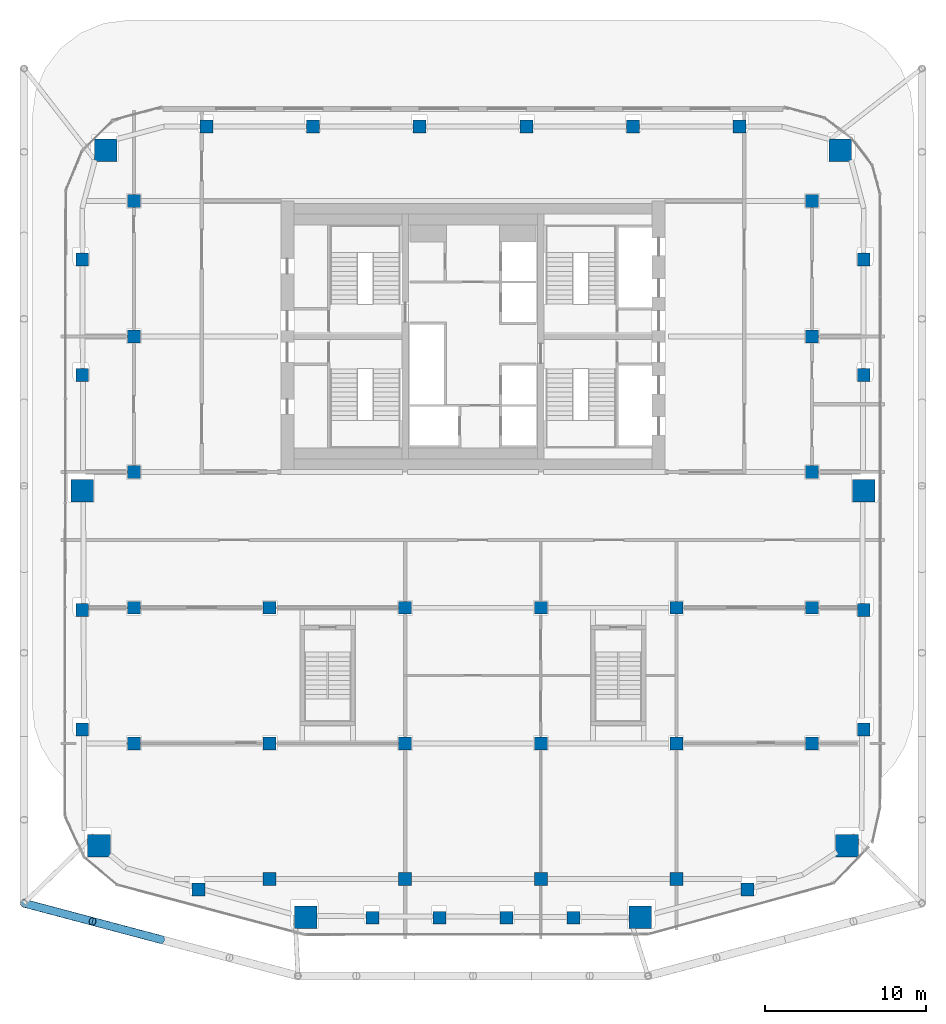
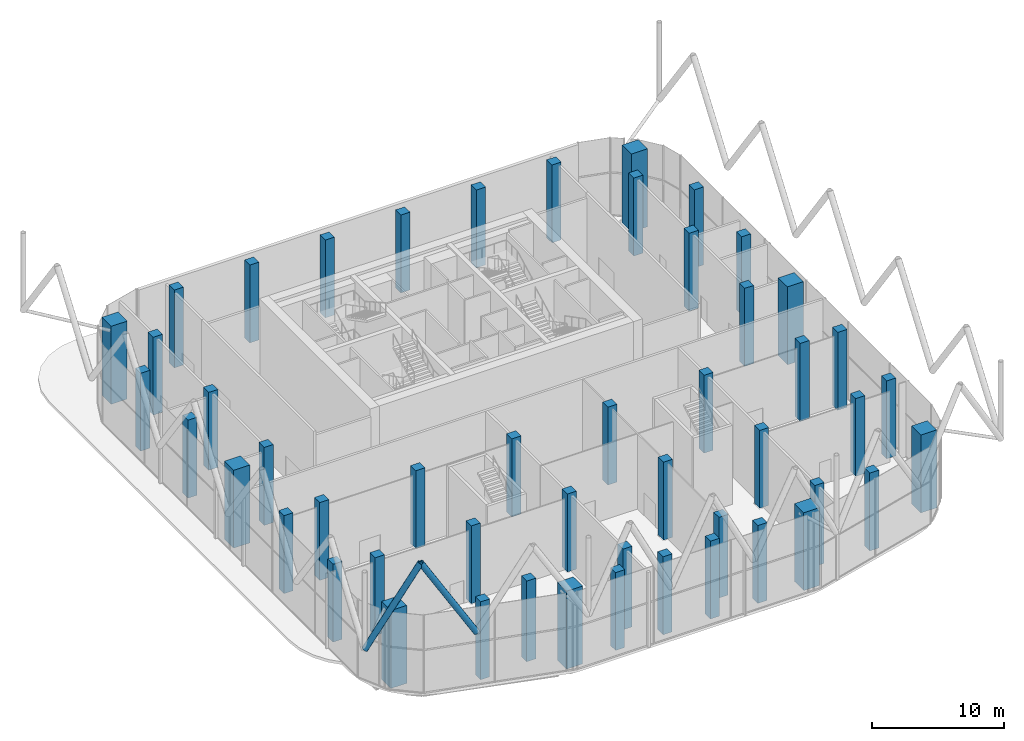
# One storey, part 1 of 25: 50 columns, 2 members.
"""IFC4 building model written with IfcOpenShell, lengths in metres."""

import ifcopenshell
import ifcopenshell.guid

model = None  # the IFC model being written
_history = None  # IfcOwnerHistory: only IFC2X3 demands one
_inside = {}  # id of a spatial element -> (the spatial element, [elements in it])
_under = {}  # id of a project, library or spatial element -> (it, [spatial elements below it])
_declared = {}  # id of a project -> (the project, [libraries it declares])
_typed = {}  # id of a type object -> (the type object, [elements of that type])
_made_of = {}  # id of a material, layer set ... -> (it, [elements and type objects made of it])


def new_model(schema):
    """Start an empty IFC model of exactly this schema.

    Asked for "IFC4X3", IfcOpenShell would pick the latest addendum, in which some entities
    have other attributes; the version numbers below select the first issue.
    IFC2X3 requires an IfcOwnerHistory on every rooted entity: one is made here for all.
    """
    global model, _history
    if schema == "IFC4X3":
        model = ifcopenshell.file(schema_version=(4, 3, 0, 0))
    else:
        model = ifcopenshell.file(schema=schema)
    _inside.clear()
    _under.clear()
    _declared.clear()
    _typed.clear()
    _made_of.clear()
    _history = None
    if model.schema == "IFC2X3":
        org = make("IfcOrganization", Name="unknown")
        user = make(
            "IfcPersonAndOrganization",
            ThePerson=make("IfcPerson", FamilyName="unknown"),
            TheOrganization=org,
        )
        app = make(
            "IfcApplication",
            ApplicationDeveloper=org,
            Version="unknown",
            ApplicationFullName="unknown",
            ApplicationIdentifier="unknown",
        )
        _history = make(
            "IfcOwnerHistory",
            OwningUser=user,
            OwningApplication=app,
            ChangeAction="ADDED",
            CreationDate=0,
        )
    return model


def make(cls, **values):
    """One entity of the class cls with the attributes given. An attribute that is None is left unset."""
    return model.create_entity(
        cls, **{name: value for name, value in values.items() if value is not None}
    )


def rooted(cls, **values):
    """An entity with a GlobalId (a new one), such as an element, a storey or a relation."""
    return make(cls, GlobalId=ifcopenshell.guid.new(), OwnerHistory=_history, **values)


def si_unit(unit_type, name, prefix=None):
    """IfcSIUnit, for example si_unit("LENGTHUNIT", "METRE", prefix="MILLI")."""
    return make("IfcSIUnit", UnitType=unit_type, Prefix=prefix, Name=name)


def assignment(units):
    """IfcUnitAssignment: the units of a project."""
    return None if units is None else make("IfcUnitAssignment", Units=units)


def point(xyz):
    """IfcCartesianPoint."""
    return None if xyz is None else make("IfcCartesianPoint", Coordinates=xyz)


def direction(xyz):
    """IfcDirection."""
    return None if xyz is None else make("IfcDirection", DirectionRatios=xyz)


def frame(location, z_axis=None, x_axis=None):
    """IfcAxis2Placement3D, a coordinate frame: its origin and axes. An axis left out is left unset."""
    return make(
        "IfcAxis2Placement3D",
        Location=point(location),
        Axis=direction(z_axis),
        RefDirection=direction(x_axis),
    )


def frame_2d(location, x_axis=None):
    """IfcAxis2Placement2D, a coordinate frame in the plane: its origin and x axis."""
    return make(
        "IfcAxis2Placement2D", Location=point(location), RefDirection=direction(x_axis)
    )


def origin():
    """The frame at (0, 0, 0) with its axes left unset."""
    return frame((0.0, 0.0, 0.0))


def origin_2d():
    """The frame at (0, 0) in the plane with its x axis left unset."""
    return frame_2d((0.0, 0.0))


def place(relative_to, where):
    """IfcLocalPlacement: puts the frame where relative to a parent placement (None: the world)."""
    return make(
        "IfcLocalPlacement", PlacementRelTo=relative_to, RelativePlacement=where
    )


def context(
    kind, dimensions, precision=None, world=None, true_north=None, identifier=None
):
    """IfcGeometricRepresentationContext, for example the 3D "Model" context."""
    return make(
        "IfcGeometricRepresentationContext",
        ContextIdentifier=identifier,
        ContextType=kind,
        CoordinateSpaceDimension=dimensions,
        Precision=precision,
        WorldCoordinateSystem=world,
        TrueNorth=true_north,
    )


def subcontext(parent, identifier, kind, view, scale=None):
    """IfcGeometricRepresentationSubContext, for example "Body" below "Model"."""
    return make(
        "IfcGeometricRepresentationSubContext",
        ContextIdentifier=identifier,
        ContextType=kind,
        ParentContext=parent,
        TargetScale=scale,
        TargetView=view,
    )


def project(units=None, contexts=None):
    """IfcProject with its units and contexts."""
    return rooted(
        "IfcProject",
        Name="project",
        RepresentationContexts=contexts,
        UnitsInContext=assignment(units),
    )


def spatial(cls, under=None, at=None, **own):
    """A site, building, storey or space (cls), placed at a placement, below another one or the project."""
    s = rooted(cls, ObjectPlacement=at, **own)
    if under is not None:
        _under.setdefault(under.id(), (under, []))[1].append(s)
    return s


def profile(cls, at=None, kind="AREA", **sizes):
    """A parametric profile (cls). Its sizes go by their IFC names, for example OverallWidth=200.0."""
    return make(cls, ProfileType=kind, Position=at, **sizes)


def rectangle(**sizes):
    """IfcRectangleProfileDef."""
    return profile("IfcRectangleProfileDef", **sizes)


def hollow_circle(**sizes):
    """IfcCircleHollowProfileDef."""
    return profile("IfcCircleHollowProfileDef", **sizes)


def extrude(swept, where, along, depth):
    """IfcExtrudedAreaSolid: the profile swept, set in the frame where, extruded along a direction by depth."""
    return make(
        "IfcExtrudedAreaSolid",
        SweptArea=swept,
        Position=where,
        ExtrudedDirection=direction(along),
        Depth=depth,
    )


def shape(context_of_items, identifier, shape_type, items):
    """IfcShapeRepresentation: the items that make up one representation, for example the "Body"."""
    return make(
        "IfcShapeRepresentation",
        ContextOfItems=context_of_items,
        RepresentationIdentifier=identifier,
        RepresentationType=shape_type,
        Items=items,
    )


def material(Name=None, Category=None):
    """IfcMaterial."""
    return make("IfcMaterial", Name=Name, Category=Category)


def material_profile(
    of_material, cross_section, Name=None, Category=None, Priority=None
):
    """IfcMaterialProfile: a cross section and its material."""
    return make(
        "IfcMaterialProfile",
        Name=Name,
        Material=of_material,
        Profile=cross_section,
        Priority=Priority,
        Category=Category,
    )


def profile_set(profiles, Name=None, composite=None):
    """IfcMaterialProfileSet."""
    return make(
        "IfcMaterialProfileSet",
        Name=Name,
        MaterialProfiles=profiles,
        CompositeProfile=composite,
    )


def made_of(thing, what):
    """Note that an element or type object is made of a material, layer set ...; save() writes the relation."""
    if what is not None:
        _made_of.setdefault(what.id(), (what, []))[1].append(thing)
    return thing


def type_object(cls, material=None, **own):
    """A type object (cls), such as IfcWallType, which elements share."""
    return made_of(rooted(cls, **own), material)


def element(
    cls,
    number,
    at=None,
    inside=None,
    cuts=None,
    type_object=None,
    material=None,
    context=None,
    identifier="Body",
    shape_type=None,
    held_by="IfcProductDefinitionShape",
    body=None,
    shapes=None,
    **own,
):
    """One element of the class cls, such as IfcWall. Its Tag is "e" and its number.

    at: its placement. inside: the storey or other place that contains it. cuts: it is an
    opening in that element (IfcRelVoidsElement). A single representation is given by context,
    identifier, shape_type and body (its items); several are given by shapes. held_by: the class
    of the entity that holds the representations. save() writes the other relations.
    """
    e = rooted(cls, Tag="e%d" % number, ObjectPlacement=at, **own)
    if body is not None:
        shapes = [shape(context, identifier, shape_type, body)]
    if shapes is not None:
        e.Representation = make(held_by, Representations=shapes)
    if inside is not None:
        _inside.setdefault(inside.id(), (inside, []))[1].append(e)
    if cuts is not None:
        rooted(
            "IfcRelVoidsElement", RelatingBuildingElement=cuts, RelatedOpeningElement=e
        )
    if type_object is not None:
        _typed.setdefault(type_object.id(), (type_object, []))[1].append(e)
    return made_of(e, material)


def aggregate(whole, parts):
    """IfcRelAggregates: a whole, such as a stair, and the parts it consists of."""
    return rooted("IfcRelAggregates", RelatingObject=whole, RelatedObjects=parts)


def save(model, path):
    """Write the relations noted so far, then the file.

    IfcRelAggregates (storeys below a building ...), IfcRelContainedInSpatialStructure (elements
    in a storey), IfcRelDefinesByType, IfcRelAssociatesMaterial and IfcRelDeclares: one each for
    every whole, place, type object, material and project.
    """
    for whole, parts in _under.values():
        aggregate(whole, parts)
    for where, things in _inside.values():
        rooted(
            "IfcRelContainedInSpatialStructure",
            RelatedElements=things,
            RelatingStructure=where,
        )
    for kind, things in _typed.values():
        rooted("IfcRelDefinesByType", RelatedObjects=things, RelatingType=kind)
    for what, things in _made_of.values():
        rooted("IfcRelAssociatesMaterial", RelatedObjects=things, RelatingMaterial=what)
    for by, libraries in _declared.values():
        rooted("IfcRelDeclares", RelatingContext=by, RelatedDefinitions=libraries)
    model.write(path)


model = new_model("IFC4")

# Units and contexts
model_context = context("Model", 3, precision=1e-05, world=origin(), true_north=direction((0.0, 1.0)))
body_context = subcontext(model_context, "Body", "Model", "MODEL_VIEW")
ifc_project = project(units=[si_unit("LENGTHUNIT", "METRE"), si_unit("AREAUNIT", "SQUARE_METRE"), si_unit("VOLUMEUNIT", "CUBIC_METRE"), si_unit("PLANEANGLEUNIT", "RADIAN"), si_unit("MASSUNIT", "GRAM", prefix="KILO")], contexts=[model_context])

# Site, building, storey
site_placement = place(None, origin())
site = spatial("IfcSite", under=ifc_project, at=site_placement, CompositionType="ELEMENT")
building_placement = place(site_placement, origin())
building = spatial("IfcBuilding", under=site, at=building_placement, Name="Marenta Gate Hotel Tower", CompositionType="ELEMENT")
storey_placement = place(building_placement, frame((0.0, 0.0, 180.5)))
storey = spatial("IfcBuildingStorey", under=building, at=storey_placement, Name="L41", CompositionType="ELEMENT", Elevation=180.5)

# Columns
ifc_material_1 = material(Name="Concrete C60", Category="concrete")
ifc_material_profile_1 = material_profile(ifc_material_1, rectangle(XDim=0.800048828125, YDim=0.800048828125, at=origin_2d()), Name="800 x 800")
ifc_profile_set_1 = profile_set([ifc_material_profile_1], Name="Concrete C60")
column_type_1 = type_object("IfcColumnType", Name="Edge column 800 x 800 C60", PredefinedType="COLUMN", material=ifc_profile_set_1)
for number, where, z_axis, x_axis, name in (
    (1, (-24.199951171875, -15.951904296875, 0.0), (0.0, 0.0, 1.0), (1.0, 0.0, 0.0), "L41-EC-SW-W-1"),
    (2, (-24.199951171875, -8.55078125, 0.0), (0.0, 0.0, 1.0), (1.0, 0.0, 0.0), "L41-EC-SW-W-2"),
    (3, (-24.199951171875, 6.003173828125, 0.0), (0.0, 0.0, 1.0), (1.0, 0.0, 0.0), "L41-EC-W-NW-1"),
    (4, (-24.199951171875, 13.156494140625, 0.0), (0.0, 0.0, 1.0), (1.0, 0.0, 0.0), "L41-EC-W-NW-2"),
    (5, (-16.5068359375, 21.39990234375, 0.0), (0.0, 0.0, 1.0), (1.0, 0.0, 0.0), "L41-EC-NW-NE-1"),
    (6, (-9.904052734375, 21.39990234375, 0.0), (0.0, 0.0, 1.0), (1.0, 0.0, 0.0), "L41-EC-NW-NE-2"),
    (7, (-3.301513671875, 21.39990234375, 0.0), (0.0, 0.0, 1.0), (1.0, 0.0, 0.0), "L41-EC-NW-NE-3"),
    (8, (3.301513671875, 21.39990234375, 0.0), (0.0, 0.0, 1.0), (1.0, 0.0, 0.0), "L41-EC-NW-NE-4"),
    (9, (9.904052734375, 21.39990234375, 0.0), (0.0, 0.0, 1.0), (1.0, 0.0, 0.0), "L41-EC-NW-NE-5"),
    (10, (16.5068359375, 21.39990234375, 0.0), (0.0, 0.0, 1.0), (1.0, 0.0, 0.0), "L41-EC-NW-NE-6"),
    (11, (24.199951171875, 13.156494140625, 0.0), (0.0, 0.0, 1.0), (1.0, 0.0, 0.0), "L41-EC-NE-E-1"),
    (12, (24.199951171875, 6.003173828125, 0.0), (0.0, 0.0, 1.0), (1.0, 0.0, 0.0), "L41-EC-NE-E-2"),
    (13, (24.199951171875, -8.55078125, 0.0), (0.0, 0.0, 1.0), (1.0, 0.0, 0.0), "L41-EC-E-SE-1"),
    (14, (24.199951171875, -15.951904296875, 0.0), (0.0, 0.0, 1.0), (1.0, 0.0, 0.0), "L41-EC-E-SE-2"),
    (15, (17.0068359375, -25.839111328125, 0.0), (0.0, 0.0, 1.0), (1.0, 0.0, 0.0), "L41-EC-SE-SKE-1"),
    (16, (6.22021484375, -27.60009765625, 0.0), (0.0, 0.0, 1.0), (1.0, 0.0, 0.0), "L41-EC-SKE-SKW-1"),
    (17, (2.073486328125, -27.60009765625, 0.0), (0.0, 0.0, 1.0), (1.0, 0.0, 0.0), "L41-EC-SKE-SKW-2"),
    (18, (-2.073486328125, -27.60009765625, 0.0), (0.0, 0.0, 1.0), (1.0, 0.0, 0.0), "L41-EC-SKE-SKW-3"),
    (19, (-6.22021484375, -27.60009765625, 0.0), (0.0, 0.0, 1.0), (1.0, 0.0, 0.0), "L41-EC-SKE-SKW-4"),
    (20, (-17.0068359375, -25.839111328125, 0.0), (0.0, 0.0, 1.0), (1.0, 0.0, 0.0), "L41-EC-SKW-SW-1"),
):
    element("IfcColumn", number, at=place(storey_placement, frame(where, z_axis=z_axis, x_axis=x_axis)), inside=storey, type_object=column_type_1, Name=name, PredefinedType="COLUMN", context=body_context, shape_type="SweptSolid", body=[
        extrude(rectangle(XDim=0.800048828125, YDim=0.800048828125, at=origin_2d()), origin(), (0.0, 0.0, 1.0), 7.199951171875),
    ])
ifc_material_2 = material(Name="Concrete C60", Category="concrete")
ifc_material_profile_2 = material_profile(ifc_material_2, rectangle(XDim=0.800048828125, YDim=0.800048828125, at=origin_2d()), Name="800 x 800")
ifc_profile_set_2 = profile_set([ifc_material_profile_2], Name="Concrete C60")
column_type_2 = type_object("IfcColumnType", Name="Interior column 800 x 800 C60", PredefinedType="COLUMN", material=ifc_profile_set_2)
for number, where, z_axis, x_axis, name in (
    (21, (-21.0, -16.800048828125, 0.0), (0.0, 0.0, 1.0), (1.0, 0.0, 0.0), "L41-IC-4D"),
    (22, (-21.0, -8.39990234375, 0.0), (0.0, 0.0, 1.0), (1.0, 0.0, 0.0), "L41-IC-4E"),
    (23, (-21.0, 0.0, 0.0), (0.0, 0.0, 1.0), (1.0, 0.0, 0.0), "L41-IC-4F"),
    (24, (-21.0, 8.39990234375, 0.0), (0.0, 0.0, 1.0), (1.0, 0.0, 0.0), "L41-IC-4G"),
    (25, (-21.0, 16.800048828125, 0.0), (0.0, 0.0, 1.0), (1.0, 0.0, 0.0), "L41-IC-4H"),
):
    element("IfcColumn", number, at=place(storey_placement, frame(where, z_axis=z_axis, x_axis=x_axis)), inside=storey, type_object=column_type_2, Name=name, PredefinedType="COLUMN", context=body_context, shape_type="SweptSolid", body=[
        extrude(rectangle(XDim=0.800048828125, YDim=0.800048828125, at=origin_2d()), origin(), (0.0, 0.0, 1.0), 7.199951171875),
    ])
column_1_placement = place(storey_placement, frame((-12.60009765625, -25.199951171875, -0.260009765625), z_axis=(0.0, 0.0, 1.0), x_axis=(1.0, 0.0, 0.0)))
element("IfcColumn", 26, at=column_1_placement, inside=storey, type_object=column_type_2, Name="L41-IC-5C", PredefinedType="COLUMN", context=body_context, shape_type="SweptSolid", body=[
    extrude(rectangle(XDim=0.800048828125, YDim=0.800048828125, at=origin_2d()), origin(), (0.0, 0.0, 1.0), 7.4599609375),
])
for number, where, z_axis, x_axis, name in (
    (27, (-12.60009765625, -16.800048828125, 0.0), (0.0, 0.0, 1.0), (1.0, 0.0, 0.0), "L41-IC-5D"),
    (28, (-12.60009765625, -8.39990234375, 0.0), (0.0, 0.0, 1.0), (1.0, 0.0, 0.0), "L41-IC-5E"),
):
    element("IfcColumn", number, at=place(storey_placement, frame(where, z_axis=z_axis, x_axis=x_axis)), inside=storey, type_object=column_type_2, Name=name, PredefinedType="COLUMN", context=body_context, shape_type="SweptSolid", body=[
        extrude(rectangle(XDim=0.800048828125, YDim=0.800048828125, at=origin_2d()), origin(), (0.0, 0.0, 1.0), 7.199951171875),
    ])
column_2_placement = place(storey_placement, frame((-4.199951171875, -25.199951171875, -0.260009765625), z_axis=(0.0, 0.0, 1.0), x_axis=(1.0, 0.0, 0.0)))
element("IfcColumn", 29, at=column_2_placement, inside=storey, type_object=column_type_2, Name="L41-IC-6C", PredefinedType="COLUMN", context=body_context, shape_type="SweptSolid", body=[
    extrude(rectangle(XDim=0.800048828125, YDim=0.800048828125, at=origin_2d()), origin(), (0.0, 0.0, 1.0), 7.4599609375),
])
for number, where, z_axis, x_axis, name in (
    (30, (-4.199951171875, -16.800048828125, 0.0), (0.0, 0.0, 1.0), (1.0, 0.0, 0.0), "L41-IC-6D"),
    (31, (-4.199951171875, -8.39990234375, 0.0), (0.0, 0.0, 1.0), (1.0, 0.0, 0.0), "L41-IC-6E"),
):
    element("IfcColumn", number, at=place(storey_placement, frame(where, z_axis=z_axis, x_axis=x_axis)), inside=storey, type_object=column_type_2, Name=name, PredefinedType="COLUMN", context=body_context, shape_type="SweptSolid", body=[
        extrude(rectangle(XDim=0.800048828125, YDim=0.800048828125, at=origin_2d()), origin(), (0.0, 0.0, 1.0), 7.199951171875),
    ])
column_3_placement = place(storey_placement, frame((4.199951171875, -25.199951171875, -0.260009765625), z_axis=(0.0, 0.0, 1.0), x_axis=(1.0, 0.0, 0.0)))
element("IfcColumn", 32, at=column_3_placement, inside=storey, type_object=column_type_2, Name="L41-IC-7C", PredefinedType="COLUMN", context=body_context, shape_type="SweptSolid", body=[
    extrude(rectangle(XDim=0.800048828125, YDim=0.800048828125, at=origin_2d()), origin(), (0.0, 0.0, 1.0), 7.4599609375),
])
for number, where, z_axis, x_axis, name in (
    (33, (4.199951171875, -16.800048828125, 0.0), (0.0, 0.0, 1.0), (1.0, 0.0, 0.0), "L41-IC-7D"),
    (34, (4.199951171875, -8.39990234375, 0.0), (0.0, 0.0, 1.0), (1.0, 0.0, 0.0), "L41-IC-7E"),
):
    element("IfcColumn", number, at=place(storey_placement, frame(where, z_axis=z_axis, x_axis=x_axis)), inside=storey, type_object=column_type_2, Name=name, PredefinedType="COLUMN", context=body_context, shape_type="SweptSolid", body=[
        extrude(rectangle(XDim=0.800048828125, YDim=0.800048828125, at=origin_2d()), origin(), (0.0, 0.0, 1.0), 7.199951171875),
    ])
column_4_placement = place(storey_placement, frame((12.60009765625, -25.199951171875, -0.260009765625), z_axis=(0.0, 0.0, 1.0), x_axis=(1.0, 0.0, 0.0)))
element("IfcColumn", 35, at=column_4_placement, inside=storey, type_object=column_type_2, Name="L41-IC-8C", PredefinedType="COLUMN", context=body_context, shape_type="SweptSolid", body=[
    extrude(rectangle(XDim=0.800048828125, YDim=0.800048828125, at=origin_2d()), origin(), (0.0, 0.0, 1.0), 7.4599609375),
])
for number, where, z_axis, x_axis, name in (
    (36, (12.60009765625, -16.800048828125, 0.0), (0.0, 0.0, 1.0), (1.0, 0.0, 0.0), "L41-IC-8D"),
    (37, (12.60009765625, -8.39990234375, 0.0), (0.0, 0.0, 1.0), (1.0, 0.0, 0.0), "L41-IC-8E"),
    (38, (21.0, -16.800048828125, 0.0), (0.0, 0.0, 1.0), (1.0, 0.0, 0.0), "L41-IC-9D"),
    (39, (21.0, -8.39990234375, 0.0), (0.0, 0.0, 1.0), (1.0, 0.0, 0.0), "L41-IC-9E"),
    (40, (21.0, 0.0, 0.0), (0.0, 0.0, 1.0), (1.0, 0.0, 0.0), "L41-IC-9F"),
    (41, (21.0, 8.39990234375, 0.0), (0.0, 0.0, 1.0), (1.0, 0.0, 0.0), "L41-IC-9G"),
    (42, (21.0, 16.800048828125, 0.0), (0.0, 0.0, 1.0), (1.0, 0.0, 0.0), "L41-IC-9H"),
):
    element("IfcColumn", number, at=place(storey_placement, frame(where, z_axis=z_axis, x_axis=x_axis)), inside=storey, type_object=column_type_2, Name=name, PredefinedType="COLUMN", context=body_context, shape_type="SweptSolid", body=[
        extrude(rectangle(XDim=0.800048828125, YDim=0.800048828125, at=origin_2d()), origin(), (0.0, 0.0, 1.0), 7.199951171875),
    ])
ifc_material_3 = material(Name="Concrete C60", Category="concrete")
ifc_material_profile_3 = material_profile(ifc_material_3, rectangle(XDim=1.39990234375, YDim=1.39990234375, at=origin_2d()), Name="1400 x 1400")
ifc_profile_set_3 = profile_set([ifc_material_profile_3], Name="Concrete C60")
column_type_3 = type_object("IfcColumnType", Name="Mega column 1400 x 1400 C60", PredefinedType="COLUMN", material=ifc_profile_set_3)
for number, where, z_axis, x_axis, name in (
    (43, (-23.1630859375, -23.133056640625, 0.0), (0.0, 0.0, 1.0), (1.0, 0.0, 0.0), "L41-MC-SW"),
    (44, (-10.3662109375, -27.57470703125, 0.0), (0.0, 0.0, 1.0), (1.0, 0.0, 0.0), "L41-MC-SKW"),
    (45, (10.3662109375, -27.57470703125, 0.0), (0.0, 0.0, 1.0), (1.0, 0.0, 0.0), "L41-MC-SKE"),
    (46, (23.1630859375, -23.133056640625, 0.0), (0.0, 0.0, 1.0), (1.0, 0.0, 0.0), "L41-MC-SE"),
    (47, (24.199951171875, -1.14990234375, 0.0), (0.0, 0.0, 1.0), (1.0, 0.0, 0.0), "L41-MC-E"),
    (48, (22.735595703125, 19.935546875, 0.0), (0.0, 0.0, 1.0), (1.0, 0.0, 0.0), "L41-MC-NE"),
    (49, (-22.735595703125, 19.935546875, 0.0), (0.0, 0.0, 1.0), (1.0, 0.0, 0.0), "L41-MC-NW"),
    (50, (-24.199951171875, -1.14990234375, 0.0), (0.0, 0.0, 1.0), (1.0, 0.0, 0.0), "L41-MC-W"),
):
    element("IfcColumn", number, at=place(storey_placement, frame(where, z_axis=z_axis, x_axis=x_axis)), inside=storey, type_object=column_type_3, Name=name, PredefinedType="COLUMN", context=body_context, shape_type="SweptSolid", body=[
        extrude(rectangle(XDim=1.39990234375, YDim=1.39990234375, at=origin_2d()), origin(), (0.0, 0.0, 1.0), 7.199951171875),
    ])

# Members
ifc_material_4 = material(Name="Steel S355J2W", Category="steel")
ifc_material_profile_4 = material_profile(ifc_material_4, hollow_circle(Radius=0.25390625, WallThickness=0.02490234375, at=origin_2d()), Name="CHS 508x25")
ifc_profile_set_4 = profile_set([ifc_material_profile_4], Name="Steel S355J2W")
member_type = type_object("IfcMemberType", Name="Diagrid diagonal Z3 CHS 508x25", PredefinedType="BRACE", material=ifc_profile_set_4)
for number, where, z_axis, x_axis, name in (
    (51, (-19.319580078125, -28.9501953125, 6.739990234375), (-0.502924018666, 0.133433548941, 0.853968921838), (-0.256443187528, -0.96655930577, 0.0), "L41-DG-23"),
    (52, (-27.800048828125, -26.7001953125, 6.739990234375), (0.502924018666, -0.133433548941, 0.853968921838), (0.256443187528, 0.96655930577, 0.0), "L41-DG-24"),
):
    element("IfcMember", number, at=place(storey_placement, frame(where, z_axis=z_axis, x_axis=x_axis)), inside=storey, type_object=member_type, Name=name, PredefinedType="BRACE", context=body_context, shape_type="SweptSolid", body=[
        extrude(hollow_circle(Radius=0.25390625, WallThickness=0.02490234375, at=origin_2d()), origin(), (0.0, 0.0, 1.0), 8.43115234375),
    ])

save(model, "model.ifc")
